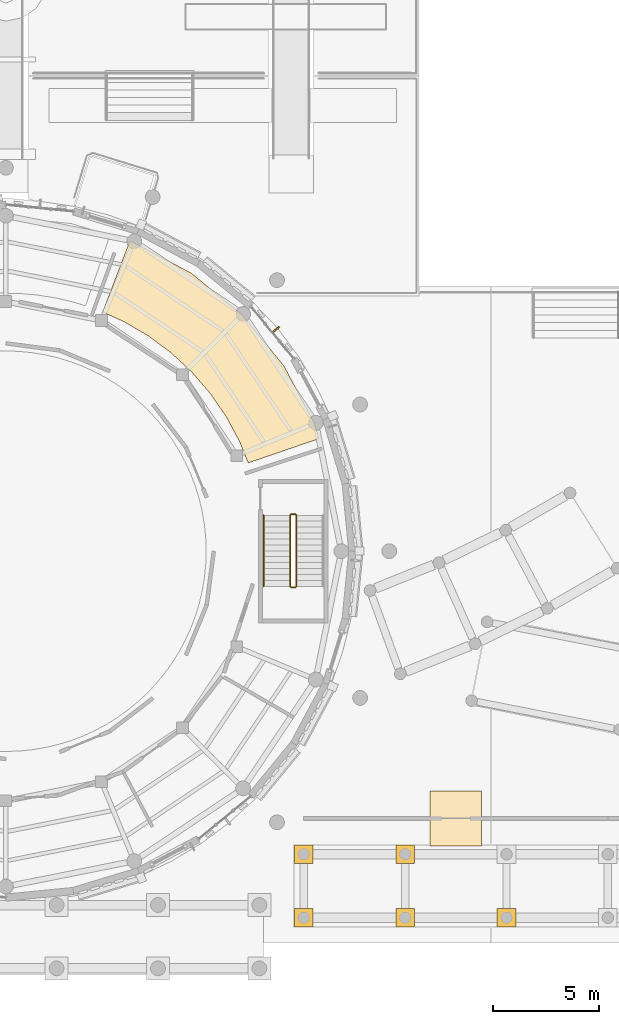
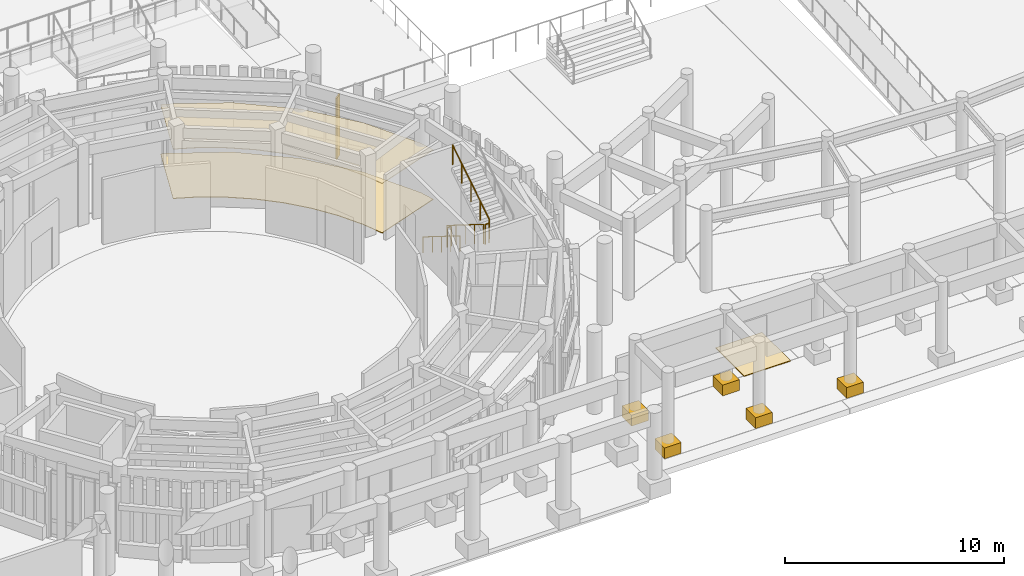
# One storey, part 76 of 94: 8 coverings, 5 railings, 1 shading device.
"""IFC4 building model written with IfcOpenShell, lengths in metres."""

from ifc_helpers import new_model, si_unit, direction, frame, origin, origin_2d, place, context, subcontext, project, spatial, polyline, rectangle, circle, outline, extrude, material, layer, layer_set, type_object, element, save


model = new_model("IFC4")

# Units and contexts
model_context = context("Model", 3, precision=1e-05, world=origin(), true_north=direction((0.0, 1.0)))
body_context = subcontext(model_context, "Body", "Model", "MODEL_VIEW")
ifc_project = project(units=[si_unit("LENGTHUNIT", "METRE"), si_unit("AREAUNIT", "SQUARE_METRE"), si_unit("VOLUMEUNIT", "CUBIC_METRE"), si_unit("PLANEANGLEUNIT", "RADIAN"), si_unit("MASSUNIT", "GRAM", prefix="KILO")], contexts=[model_context])

# Site, building, storey
site_placement = place(None, origin())
site = spatial("IfcSite", under=ifc_project, at=site_placement, CompositionType="ELEMENT")
building_placement = place(site_placement, origin())
building = spatial("IfcBuilding", under=site, at=building_placement, Name="Aldenvaro Health Centre", CompositionType="ELEMENT")
storey_placement = place(building_placement, origin())
storey = spatial("IfcBuildingStorey", under=building, at=storey_placement, Name="L00", CompositionType="ELEMENT", Elevation=0.0)

# Coverings
ifc_material_1 = material(Name="Perforated Douglas Fir Slatted Ceiling")
ifc_layer_1 = layer(ifc_material_1, 0.031982421875, Name="Perforated Douglas Fir Slatted Ceiling")
ifc_layer_set_1 = layer_set([ifc_layer_1], Name="Perforated Douglas Fir Slatted Ceiling")
covering_type_1 = type_object("IfcCoveringType", Name="COV-CLG-WD32", PredefinedType="CEILING", material=ifc_layer_set_1)
covering_1_placement = place(storey_placement, frame((0.0, 0.0, 2.75)))
element("IfcCovering", 1, at=covering_1_placement, inside=storey, type_object=covering_type_1, Name="D1-L00-R01 Suspended Ceiling", PredefinedType="CEILING", context=body_context, shape_type="SweptSolid", body=[
    extrude(outline(polyline([(98.06494140625, 25.18603515625), (98.052978515625, 25.2099609375), (97.430908203125, 26.364013671875), (97.41796875, 26.386962890625), (96.673095703125, 27.466064453125), (96.656982421875, 27.487060546875), (95.799072265625, 28.47900390625), (95.781005859375, 28.498046875), (94.820068359375, 29.389892578125), (94.800048828125, 29.406982421875), (93.7470703125, 30.18798828125), (93.72509765625, 30.202880859375), (92.593017578125, 30.864990234375), (92.569091796875, 30.876953125), (91.5791015625, 31.318115234375), (92.860107421875, 34.673095703125), (93.053955078125, 34.614013671875), (95.7880859375, 33.153076171875), (98.18603515625, 31.18603515625), (100.153076171875, 28.7880859375), (101.614013671875, 26.053955078125), (101.8330078125, 25.33203125), (98.470947265625, 24.180908203125), (98.06494140625, 25.18603515625)])), origin(), (0.0, 0.0, 1.0), 0.031982421875),
])
ifc_material_2 = material(Name="Honed Sonoran Buff Limestone", Category="masonry")
ifc_layer_2 = layer(ifc_material_2, 0.280029296875, Name="Honed Sonoran Buff Limestone", Category="masonry")
ifc_layer_set_2 = layer_set([ifc_layer_2], Name="Honed Sonoran Buff Limestone")
covering_type_2 = type_object("IfcCoveringType", Name="COV-CRN-STN", PredefinedType="CLADDING", material=ifc_layer_set_2)
for number, where, z_axis, x_axis, name in (
    (2, (101.10009765625, 2.64990234375, 0.0), (0.0, 0.0, 1.0), (1.0, 0.0, 0.0), "South Stoa Classical Column Plinth 19"),
    (3, (101.10009765625, 5.64990234375, 0.0), (0.0, 0.0, 1.0), (1.0, 0.0, 0.0), "South Stoa Classical Column Plinth 20"),
    (4, (105.89990234375, 2.64990234375, 0.0), (0.0, 0.0, 1.0), (1.0, 0.0, 0.0), "South Stoa Classical Column Plinth 21"),
    (5, (105.89990234375, 5.64990234375, 0.0), (0.0, 0.0, 1.0), (1.0, 0.0, 0.0), "South Stoa Classical Column Plinth 22"),
    (6, (110.699951171875, 2.64990234375, 0.0), (0.0, 0.0, 1.0), (1.0, 0.0, 0.0), "South Stoa Classical Column Plinth 23"),
):
    element("IfcCovering", number, at=place(storey_placement, frame(where, z_axis=z_axis, x_axis=x_axis)), inside=storey, type_object=covering_type_2, Name=name, PredefinedType="CLADDING", context=body_context, shape_type="SweptSolid", body=[
        extrude(rectangle(XDim=0.8798828125, YDim=0.8798828125, at=origin_2d()), origin(), (0.0, 0.0, 1.0), 0.60009765625),
    ])
ifc_material_3 = material(Name="Honed Arizona Limestone Flooring", Category="masonry")
ifc_layer_3 = layer(ifc_material_3, 0.030029296875, Name="Honed Arizona Limestone Flooring", Category="masonry")
ifc_layer_set_3 = layer_set([ifc_layer_3], Name="Honed Arizona Limestone Flooring")
covering_type_3 = type_object("IfcCoveringType", Name="COV-FLR-STN30", PredefinedType="FLOORING", material=ifc_layer_set_3)
covering_2_placement = place(storey_placement, origin())
element("IfcCovering", 7, at=covering_2_placement, inside=storey, type_object=covering_type_3, Name="D1-L00-R01 Flooring", PredefinedType="FLOORING", context=body_context, shape_type="SweptSolid", body=[
    extrude(outline(polyline([(98.06494140625, 25.18603515625), (98.052978515625, 25.2099609375), (97.430908203125, 26.364013671875), (97.41796875, 26.386962890625), (96.673095703125, 27.466064453125), (96.656982421875, 27.487060546875), (95.799072265625, 28.47900390625), (95.781005859375, 28.498046875), (94.820068359375, 29.389892578125), (94.800048828125, 29.406982421875), (93.7470703125, 30.18798828125), (93.72509765625, 30.202880859375), (92.593017578125, 30.864990234375), (92.569091796875, 30.876953125), (91.5791015625, 31.318115234375), (92.860107421875, 34.673095703125), (93.053955078125, 34.614013671875), (95.7880859375, 33.153076171875), (98.18603515625, 31.18603515625), (100.153076171875, 28.7880859375), (101.614013671875, 26.053955078125), (101.8330078125, 25.33203125), (98.470947265625, 24.180908203125), (98.06494140625, 25.18603515625)])), origin(), (0.0, 0.0, 1.0), 0.030029296875),
])
ifc_material_4 = material(Name="Honed Arizona Limestone Walk", Category="masonry")
ifc_layer_4 = layer(ifc_material_4, 0.06005859375, Name="Honed Arizona Limestone Walk", Category="masonry")
ifc_layer_set_4 = layer_set([ifc_layer_4], Name="Honed Arizona Limestone Walk")
covering_type_4 = type_object("IfcCoveringType", Name="COV-GDN-PATH", PredefinedType="FLOORING", material=ifc_layer_set_4)
covering_3_placement = place(storey_placement, origin())
element("IfcCovering", 8, at=covering_3_placement, inside=storey, type_object=covering_type_4, Name="Therapy Garden Security Gate Threshold Apron 4", PredefinedType="FLOORING", context=body_context, shape_type="SweptSolid", body=[
    extrude(outline(polyline([(107.074951171875, 6.050048828125), (109.52490234375, 6.050048828125), (109.52490234375, 8.64990234375), (107.074951171875, 8.64990234375), (107.074951171875, 6.050048828125)])), origin(), (0.0, 0.0, 1.0), 0.0400390625),
])

# Railings
ifc_material_5 = material(Name="Painted Architectural Steel", Category="steel")
railing_type_1 = type_object("IfcRailingType", Name="RL-BAL-INT", PredefinedType="BALUSTRADE", material=ifc_material_5)
railing_1_placement = place(storey_placement, frame((100.449951171875, 21.699951171875, 0.175048828125)))
element("IfcRailing", 9, at=railing_1_placement, inside=storey, type_object=railing_type_1, Name="L00 ST-02 stair guard 1", PredefinedType="BALUSTRADE", context=body_context, shape_type="SweptSolid", body=[
    extrude(circle(Radius=0.02392578125, at=origin_2d()), frame((0.0, 0.0, 1.076171875), z_axis=(0.0, -0.848005227453, 0.529987862325), x_axis=(1.0, 0.0, 0.0)), (0.0, 0.0, 1.0), 3.962158203125),
    extrude(circle(Radius=0.02099609375, at=origin_2d()), origin(), (0.0, 0.0, 1.0), 1.052001953125),
    extrude(circle(Radius=0.02099609375, at=origin_2d()), frame((0.0, -0.83984375, 0.52490234375)), (0.0, 0.0, 1.0), 1.052001953125),
    extrude(circle(Radius=0.02099609375, at=origin_2d()), frame((0.0, -1.679931640625, 1.0498046875)), (0.0, 0.0, 1.0), 1.052001953125),
    extrude(circle(Radius=0.02099609375, at=origin_2d()), frame((0.0, -2.52001953125, 1.574951171875)), (0.0, 0.0, 1.0), 1.052001953125),
    extrude(circle(Radius=0.02099609375, at=origin_2d()), frame((0.0, -3.35986328125, 2.099853515625)), (0.0, 0.0, 1.0), 1.052001953125),
])
railing_2_placement = place(storey_placement, frame((100.5, 18.2900390625, 2.27490234375)))
element("IfcRailing", 10, at=railing_2_placement, inside=storey, type_object=railing_type_1, Name="L00 ST-02 stair guard 2", PredefinedType="BALUSTRADE", context=body_context, shape_type="SweptSolid", body=[
    extrude(circle(Radius=0.02392578125, at=origin_2d()), frame((0.0, 0.0, 1.076171875), z_axis=(1.0, 0.0, 0.0), x_axis=(0.0, 1.0, 0.0)), (0.0, 0.0, 1.0), 0.199951171875),
    extrude(circle(Radius=0.02099609375, at=origin_2d()), origin(), (0.0, 0.0, 1.0), 1.052001953125),
    extrude(circle(Radius=0.02099609375, at=origin_2d()), frame((0.199951171875, 0.0, 0.0)), (0.0, 0.0, 1.0), 1.052001953125),
])
railing_3_placement = place(storey_placement, frame((100.75, 18.340087890625, 2.449951171875)))
element("IfcRailing", 11, at=railing_3_placement, inside=storey, type_object=railing_type_1, Name="L00 ST-02 stair guard 3", PredefinedType="BALUSTRADE", context=body_context, shape_type="SweptSolid", body=[
    extrude(circle(Radius=0.02392578125, at=origin_2d()), frame((0.0, 0.0, 1.076171875), z_axis=(0.0, 0.847977533471, 0.530032171408), x_axis=(-1.0, 0.0, 0.0)), (0.0, 0.0, 1.0), 3.962158203125),
    extrude(circle(Radius=0.02099609375, at=origin_2d()), origin(), (0.0, 0.0, 1.0), 1.052001953125),
    extrude(circle(Radius=0.02099609375, at=origin_2d()), frame((0.0, 0.83984375, 0.52490234375)), (0.0, 0.0, 1.0), 1.052001953125),
    extrude(circle(Radius=0.02099609375, at=origin_2d()), frame((0.0, 1.679931640625, 1.050048828125)), (0.0, 0.0, 1.0), 1.052001953125),
    extrude(circle(Radius=0.02099609375, at=origin_2d()), frame((0.0, 2.52001953125, 1.5751953125)), (0.0, 0.0, 1.0), 1.052001953125),
    extrude(circle(Radius=0.02099609375, at=origin_2d()), frame((0.0, 3.35986328125, 2.10009765625)), (0.0, 0.0, 1.0), 1.052001953125),
])
railing_4_placement = place(storey_placement, frame((100.5, 21.75, 0.0)))
element("IfcRailing", 12, at=railing_4_placement, inside=storey, type_object=railing_type_1, Name="L00 ST-02 stair guard 4", PredefinedType="BALUSTRADE", context=body_context, shape_type="SweptSolid", body=[
    extrude(circle(Radius=0.02392578125, at=origin_2d()), frame((0.0, 0.0, 1.076171875), z_axis=(1.0, 0.0, 0.0), x_axis=(0.0, 1.0, 0.0)), (0.0, 0.0, 1.0), 0.199951171875),
    extrude(circle(Radius=0.02099609375, at=origin_2d()), origin(), (0.0, 0.0, 1.0), 1.052001953125),
    extrude(circle(Radius=0.02099609375, at=origin_2d()), frame((0.199951171875, 0.0, 0.0)), (0.0, 0.0, 1.0), 1.052001953125),
])
railing_type_2 = type_object("IfcRailingType", Name="RL-HND-INT", PredefinedType="HANDRAIL", material=ifc_material_5)
railing_5_placement = place(storey_placement, frame((99.199951171875, 21.699951171875, 0.175048828125)))
element("IfcRailing", 13, at=railing_5_placement, inside=storey, type_object=railing_type_2, Name="L00 ST-02 stair handrail 1", PredefinedType="HANDRAIL", context=body_context, shape_type="SweptSolid", body=[
    extrude(circle(Radius=0.02392578125, at=origin_2d()), frame((0.0, 0.0, 0.8759765625), z_axis=(0.0, -0.848005227453, 0.529987862325), x_axis=(1.0, 0.0, 0.0)), (0.0, 0.0, 1.0), 3.962158203125),
    extrude(circle(Radius=0.02099609375, at=origin_2d()), origin(), (0.0, 0.0, 1.0), 0.851806640625),
    extrude(circle(Radius=0.02099609375, at=origin_2d()), frame((0.0, -0.83984375, 0.52490234375)), (0.0, 0.0, 1.0), 0.851806640625),
    extrude(circle(Radius=0.02099609375, at=origin_2d()), frame((0.0, -1.679931640625, 1.0498046875)), (0.0, 0.0, 1.0), 0.851806640625),
    extrude(circle(Radius=0.02099609375, at=origin_2d()), frame((0.0, -2.52001953125, 1.574951171875)), (0.0, 0.0, 1.0), 0.851806640625),
    extrude(circle(Radius=0.02099609375, at=origin_2d()), frame((0.0, -3.35986328125, 2.099853515625)), (0.0, 0.0, 1.0), 0.851806640625),
])

# Shading device
ifc_material_6 = material(Name="Douglas Fir Exterior Glulam GL28h", Category="wood")
shading_device_type = type_object("IfcShadingDeviceType", Name="SHD-FIN-340", PredefinedType="USERDEFINED", material=ifc_material_6)
shading_device_placement = place(storey_placement, frame((99.779052734375, 30.487060546875, -0.02001953125), z_axis=(0.0, 0.0, 1.0), x_axis=(0.634168850528, -0.773194586776, 0.0)))
element("IfcShadingDevice", 14, at=shading_device_placement, inside=storey, type_object=shading_device_type, Name="D1 L00 vertical timber fin 29.0", ObjectType="FIN", PredefinedType="USERDEFINED", context=body_context, shape_type="SweptSolid", body=[
    extrude(rectangle(XDim=0.074951171875, YDim=0.419921875, at=origin_2d()), origin(), (0.0, 0.0, 1.0), 3.39990234375),
])

save(model, "model.ifc")
